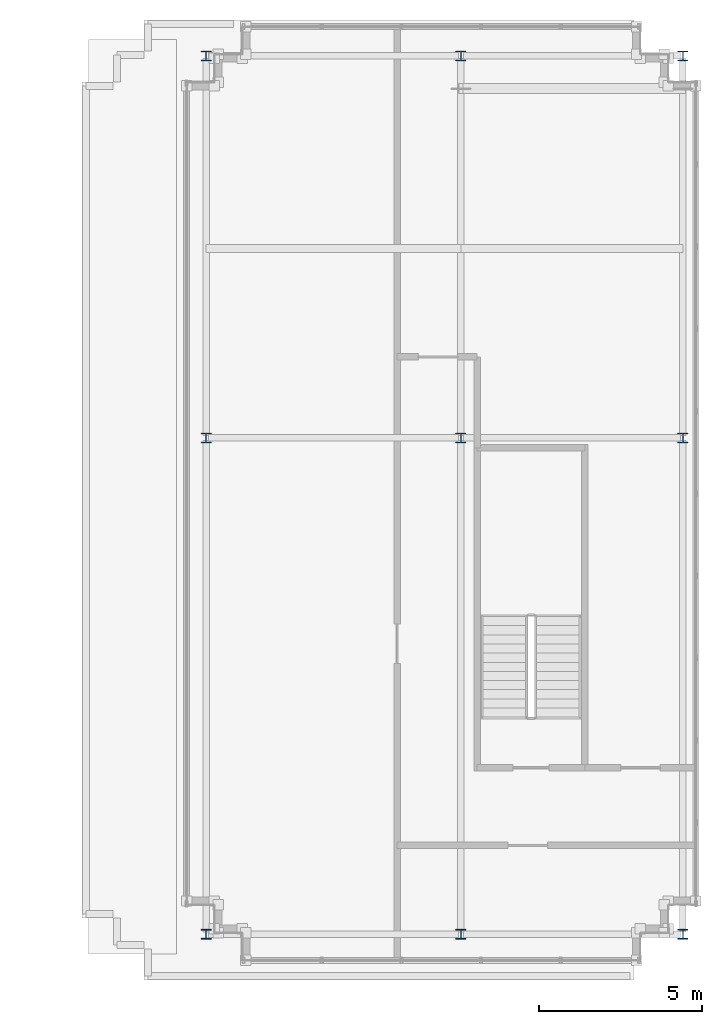
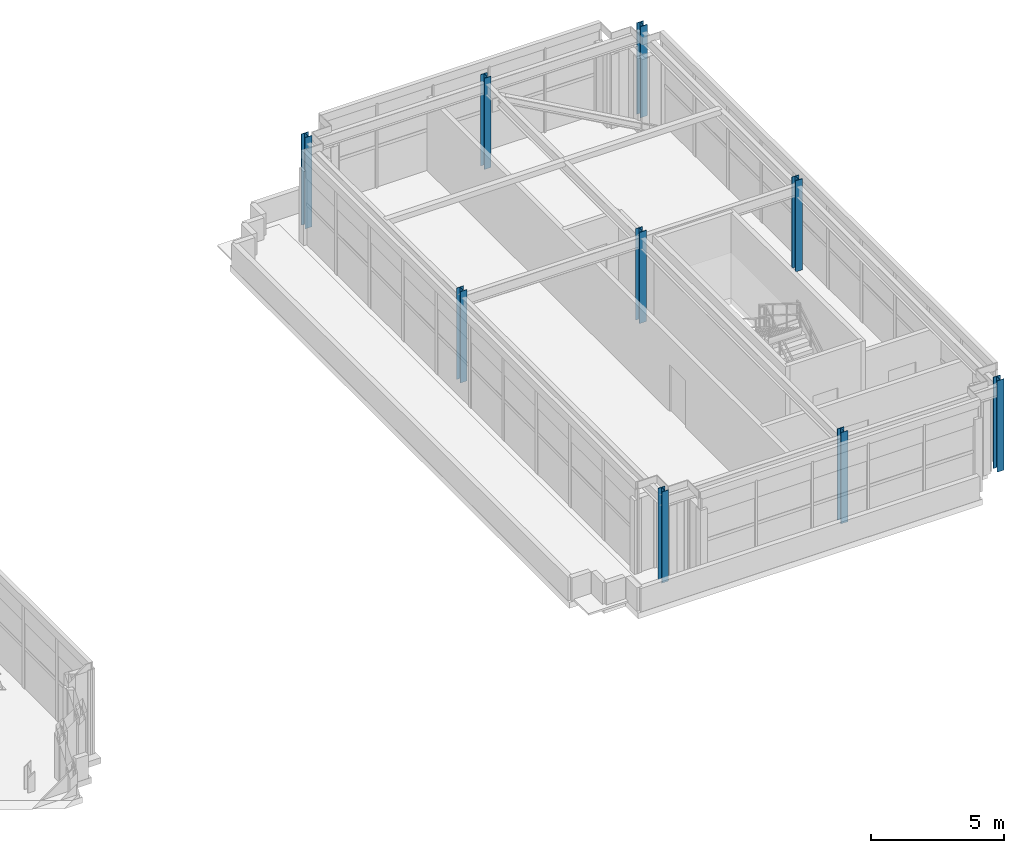
# One storey, part 2 of 25: 9 columns.
"""IFC4 building model written with IfcOpenShell, lengths in metres."""

import ifcopenshell
import ifcopenshell.guid

model = None  # the IFC model being written
_history = None  # IfcOwnerHistory: only IFC2X3 demands one
_inside = {}  # id of a spatial element -> (the spatial element, [elements in it])
_under = {}  # id of a project, library or spatial element -> (it, [spatial elements below it])
_declared = {}  # id of a project -> (the project, [libraries it declares])
_typed = {}  # id of a type object -> (the type object, [elements of that type])
_made_of = {}  # id of a material, layer set ... -> (it, [elements and type objects made of it])


def new_model(schema):
    """Start an empty IFC model of exactly this schema.

    Asked for "IFC4X3", IfcOpenShell would pick the latest addendum, in which some entities
    have other attributes; the version numbers below select the first issue.
    IFC2X3 requires an IfcOwnerHistory on every rooted entity: one is made here for all.
    """
    global model, _history
    if schema == "IFC4X3":
        model = ifcopenshell.file(schema_version=(4, 3, 0, 0))
    else:
        model = ifcopenshell.file(schema=schema)
    _inside.clear()
    _under.clear()
    _declared.clear()
    _typed.clear()
    _made_of.clear()
    _history = None
    if model.schema == "IFC2X3":
        org = make("IfcOrganization", Name="unknown")
        user = make(
            "IfcPersonAndOrganization",
            ThePerson=make("IfcPerson", FamilyName="unknown"),
            TheOrganization=org,
        )
        app = make(
            "IfcApplication",
            ApplicationDeveloper=org,
            Version="unknown",
            ApplicationFullName="unknown",
            ApplicationIdentifier="unknown",
        )
        _history = make(
            "IfcOwnerHistory",
            OwningUser=user,
            OwningApplication=app,
            ChangeAction="ADDED",
            CreationDate=0,
        )
    return model


def make(cls, **values):
    """One entity of the class cls with the attributes given. An attribute that is None is left unset."""
    return model.create_entity(
        cls, **{name: value for name, value in values.items() if value is not None}
    )


def rooted(cls, **values):
    """An entity with a GlobalId (a new one), such as an element, a storey or a relation."""
    return make(cls, GlobalId=ifcopenshell.guid.new(), OwnerHistory=_history, **values)


def si_unit(unit_type, name, prefix=None):
    """IfcSIUnit, for example si_unit("LENGTHUNIT", "METRE", prefix="MILLI")."""
    return make("IfcSIUnit", UnitType=unit_type, Prefix=prefix, Name=name)


def assignment(units):
    """IfcUnitAssignment: the units of a project."""
    return None if units is None else make("IfcUnitAssignment", Units=units)


def point(xyz):
    """IfcCartesianPoint."""
    return None if xyz is None else make("IfcCartesianPoint", Coordinates=xyz)


def direction(xyz):
    """IfcDirection."""
    return None if xyz is None else make("IfcDirection", DirectionRatios=xyz)


def frame(location, z_axis=None, x_axis=None):
    """IfcAxis2Placement3D, a coordinate frame: its origin and axes. An axis left out is left unset."""
    return make(
        "IfcAxis2Placement3D",
        Location=point(location),
        Axis=direction(z_axis),
        RefDirection=direction(x_axis),
    )


def frame_2d(location, x_axis=None):
    """IfcAxis2Placement2D, a coordinate frame in the plane: its origin and x axis."""
    return make(
        "IfcAxis2Placement2D", Location=point(location), RefDirection=direction(x_axis)
    )


def origin():
    """The frame at (0, 0, 0) with its axes left unset."""
    return frame((0.0, 0.0, 0.0))


def origin_2d():
    """The frame at (0, 0) in the plane with its x axis left unset."""
    return frame_2d((0.0, 0.0))


def place(relative_to, where):
    """IfcLocalPlacement: puts the frame where relative to a parent placement (None: the world)."""
    return make(
        "IfcLocalPlacement", PlacementRelTo=relative_to, RelativePlacement=where
    )


def context(
    kind, dimensions, precision=None, world=None, true_north=None, identifier=None
):
    """IfcGeometricRepresentationContext, for example the 3D "Model" context."""
    return make(
        "IfcGeometricRepresentationContext",
        ContextIdentifier=identifier,
        ContextType=kind,
        CoordinateSpaceDimension=dimensions,
        Precision=precision,
        WorldCoordinateSystem=world,
        TrueNorth=true_north,
    )


def subcontext(parent, identifier, kind, view, scale=None):
    """IfcGeometricRepresentationSubContext, for example "Body" below "Model"."""
    return make(
        "IfcGeometricRepresentationSubContext",
        ContextIdentifier=identifier,
        ContextType=kind,
        ParentContext=parent,
        TargetScale=scale,
        TargetView=view,
    )


def project(units=None, contexts=None):
    """IfcProject with its units and contexts."""
    return rooted(
        "IfcProject",
        Name="project",
        RepresentationContexts=contexts,
        UnitsInContext=assignment(units),
    )


def spatial(cls, under=None, at=None, **own):
    """A site, building, storey or space (cls), placed at a placement, below another one or the project."""
    s = rooted(cls, ObjectPlacement=at, **own)
    if under is not None:
        _under.setdefault(under.id(), (under, []))[1].append(s)
    return s


def profile(cls, at=None, kind="AREA", **sizes):
    """A parametric profile (cls). Its sizes go by their IFC names, for example OverallWidth=200.0."""
    return make(cls, ProfileType=kind, Position=at, **sizes)


def i_section(**sizes):
    """IfcIShapeProfileDef."""
    return profile("IfcIShapeProfileDef", **sizes)


def extrude(swept, where, along, depth):
    """IfcExtrudedAreaSolid: the profile swept, set in the frame where, extruded along a direction by depth."""
    return make(
        "IfcExtrudedAreaSolid",
        SweptArea=swept,
        Position=where,
        ExtrudedDirection=direction(along),
        Depth=depth,
    )


def shape(context_of_items, identifier, shape_type, items):
    """IfcShapeRepresentation: the items that make up one representation, for example the "Body"."""
    return make(
        "IfcShapeRepresentation",
        ContextOfItems=context_of_items,
        RepresentationIdentifier=identifier,
        RepresentationType=shape_type,
        Items=items,
    )


def source(mapping_origin, context_of_items, identifier, shape_type, items):
    """IfcRepresentationMap: a shape defined once, which mapped items show again and again."""
    return make(
        "IfcRepresentationMap",
        MappingOrigin=mapping_origin,
        MappedRepresentation=shape(context_of_items, identifier, shape_type, items),
    )


def transform(
    local_origin,
    x_axis=None,
    y_axis=None,
    z_axis=None,
    scale=None,
    scale2=None,
    scale3=None,
    uniform=True,
):
    """IfcCartesianTransformationOperator3D, or its non-uniform kind. x_axis, y_axis, z_axis: its Axis1, 2, 3."""
    if uniform:
        return make(
            "IfcCartesianTransformationOperator3D",
            Axis1=direction(x_axis),
            Axis2=direction(y_axis),
            LocalOrigin=point(local_origin),
            Scale=scale,
            Axis3=direction(z_axis),
        )
    return make(
        "IfcCartesianTransformationOperator3DnonUniform",
        Axis1=direction(x_axis),
        Axis2=direction(y_axis),
        LocalOrigin=point(local_origin),
        Scale=scale,
        Axis3=direction(z_axis),
        Scale2=scale2,
        Scale3=scale3,
    )


def mapped(mapping_source, mapping_target):
    """IfcMappedItem: shows the shape of a source again, moved by a transform."""
    return make(
        "IfcMappedItem", MappingSource=mapping_source, MappingTarget=mapping_target
    )


def material(Name=None, Category=None):
    """IfcMaterial."""
    return make("IfcMaterial", Name=Name, Category=Category)


def material_profile(
    of_material, cross_section, Name=None, Category=None, Priority=None
):
    """IfcMaterialProfile: a cross section and its material."""
    return make(
        "IfcMaterialProfile",
        Name=Name,
        Material=of_material,
        Profile=cross_section,
        Priority=Priority,
        Category=Category,
    )


def profile_set(profiles, Name=None, composite=None):
    """IfcMaterialProfileSet."""
    return make(
        "IfcMaterialProfileSet",
        Name=Name,
        MaterialProfiles=profiles,
        CompositeProfile=composite,
    )


def made_of(thing, what):
    """Note that an element or type object is made of a material, layer set ...; save() writes the relation."""
    if what is not None:
        _made_of.setdefault(what.id(), (what, []))[1].append(thing)
    return thing


def type_object(cls, material=None, **own):
    """A type object (cls), such as IfcWallType, which elements share."""
    return made_of(rooted(cls, **own), material)


def element(
    cls,
    number,
    at=None,
    inside=None,
    cuts=None,
    type_object=None,
    material=None,
    context=None,
    identifier="Body",
    shape_type=None,
    held_by="IfcProductDefinitionShape",
    body=None,
    shapes=None,
    **own,
):
    """One element of the class cls, such as IfcWall. Its Tag is "e" and its number.

    at: its placement. inside: the storey or other place that contains it. cuts: it is an
    opening in that element (IfcRelVoidsElement). A single representation is given by context,
    identifier, shape_type and body (its items); several are given by shapes. held_by: the class
    of the entity that holds the representations. save() writes the other relations.
    """
    e = rooted(cls, Tag="e%d" % number, ObjectPlacement=at, **own)
    if body is not None:
        shapes = [shape(context, identifier, shape_type, body)]
    if shapes is not None:
        e.Representation = make(held_by, Representations=shapes)
    if inside is not None:
        _inside.setdefault(inside.id(), (inside, []))[1].append(e)
    if cuts is not None:
        rooted(
            "IfcRelVoidsElement", RelatingBuildingElement=cuts, RelatedOpeningElement=e
        )
    if type_object is not None:
        _typed.setdefault(type_object.id(), (type_object, []))[1].append(e)
    return made_of(e, material)


def aggregate(whole, parts):
    """IfcRelAggregates: a whole, such as a stair, and the parts it consists of."""
    return rooted("IfcRelAggregates", RelatingObject=whole, RelatedObjects=parts)


def save(model, path):
    """Write the relations noted so far, then the file.

    IfcRelAggregates (storeys below a building ...), IfcRelContainedInSpatialStructure (elements
    in a storey), IfcRelDefinesByType, IfcRelAssociatesMaterial and IfcRelDeclares: one each for
    every whole, place, type object, material and project.
    """
    for whole, parts in _under.values():
        aggregate(whole, parts)
    for where, things in _inside.values():
        rooted(
            "IfcRelContainedInSpatialStructure",
            RelatedElements=things,
            RelatingStructure=where,
        )
    for kind, things in _typed.values():
        rooted("IfcRelDefinesByType", RelatedObjects=things, RelatingType=kind)
    for what, things in _made_of.values():
        rooted("IfcRelAssociatesMaterial", RelatedObjects=things, RelatingMaterial=what)
    for by, libraries in _declared.values():
        rooted("IfcRelDeclares", RelatingContext=by, RelatedDefinitions=libraries)
    model.write(path)


model = new_model("IFC4")

# Units and contexts
model_context = context("Model", 3, precision=1e-05, world=origin(), true_north=direction((0.0, 1.0)))
body_context = subcontext(model_context, "Body", "Model", "MODEL_VIEW")
ifc_project = project(units=[si_unit("LENGTHUNIT", "METRE"), si_unit("AREAUNIT", "SQUARE_METRE"), si_unit("VOLUMEUNIT", "CUBIC_METRE"), si_unit("PLANEANGLEUNIT", "RADIAN"), si_unit("MASSUNIT", "GRAM", prefix="KILO")], contexts=[model_context])

# Site, building, storey
site_placement = place(None, origin())
site = spatial("IfcSite", under=ifc_project, at=site_placement, CompositionType="ELEMENT")
building_placement = place(site_placement, origin())
building = spatial("IfcBuilding", under=site, at=building_placement, Name="Trelvane Seafront Commons", CompositionType="ELEMENT")
storey_placement = place(building_placement, frame((0.0, 0.0, 316.699951171875)))
storey = spatial("IfcBuildingStorey", under=building, at=storey_placement, Name="L82", CompositionType="ELEMENT", Elevation=316.699951171875)

# Columns
ifc_material = material(Name="Steel SM355 (S355)", Category="steel")
ifc_material_profile = material_profile(ifc_material, i_section(OverallWidth=0.300048828125, OverallDepth=0.300048828125, WebThickness=0.014892578125, FlangeThickness=0.02392578125, at=origin_2d()), Name="HD-300x300x15x24")
ifc_profile_set = profile_set([ifc_material_profile], Name="Steel SM355 (S355)")
column_type = type_object("IfcColumnType", Name="STR-CROWN-FRAME-COL", PredefinedType="COLUMN", material=ifc_profile_set)
shared_shape = source(origin(), body_context, "Body", "SweptSolid", [
    extrude(i_section(OverallWidth=0.300048828125, OverallDepth=0.300048828125, WebThickness=0.014892578125, FlangeThickness=0.02392578125, at=origin_2d()), origin(), (0.0, 0.0, 1.0), 4.199951171875),
])
for number, where, z_axis, x_axis, name in (
    (1, (51.0, 18.199951171875, 0.0), (0.0, 0.0, 1.0), (1.0, 0.0, 0.0), "L82 CROWN FRAME Column CRN-4-1"),
    (2, (51.0, 33.39990234375, 0.0), (0.0, 0.0, 1.0), (1.0, 0.0, 0.0), "L82 CROWN FRAME Column CRN-4-2"),
    (3, (51.0, 45.10009765625, 0.0), (0.0, 0.0, 1.0), (1.0, 0.0, 0.0), "L82 CROWN FRAME Column CRN-4-3"),
    (4, (58.800048828125, 18.199951171875, 0.0), (0.0, 0.0, 1.0), (1.0, 0.0, 0.0), "L82 CROWN FRAME Column CRN-5-1"),
    (5, (58.800048828125, 33.39990234375, 0.0), (0.0, 0.0, 1.0), (1.0, 0.0, 0.0), "L82 CROWN FRAME Column CRN-5-2"),
    (6, (58.800048828125, 45.10009765625, 0.0), (0.0, 0.0, 1.0), (1.0, 0.0, 0.0), "L82 CROWN FRAME Column CRN-5-3"),
    (7, (65.60009765625, 18.199951171875, 0.0), (0.0, 0.0, 1.0), (1.0, 0.0, 0.0), "L82 CROWN FRAME Column CRN-6-1"),
    (8, (65.60009765625, 33.39990234375, 0.0), (0.0, 0.0, 1.0), (1.0, 0.0, 0.0), "L82 CROWN FRAME Column CRN-6-2"),
    (9, (65.60009765625, 45.10009765625, 0.0), (0.0, 0.0, 1.0), (1.0, 0.0, 0.0), "L82 CROWN FRAME Column CRN-6-3"),
):
    element("IfcColumn", number, at=place(storey_placement, frame(where, z_axis=z_axis, x_axis=x_axis)), inside=storey, type_object=column_type, Name=name, PredefinedType="COLUMN", context=body_context, shape_type="MappedRepresentation", body=[
        mapped(shared_shape, transform((0.0, 0.0, 0.0), x_axis=(1.0, 0.0, 0.0), y_axis=(0.0, 1.0, 0.0), z_axis=(0.0, 0.0, 1.0), scale=1.0)),
    ])

save(model, "model.ifc")
